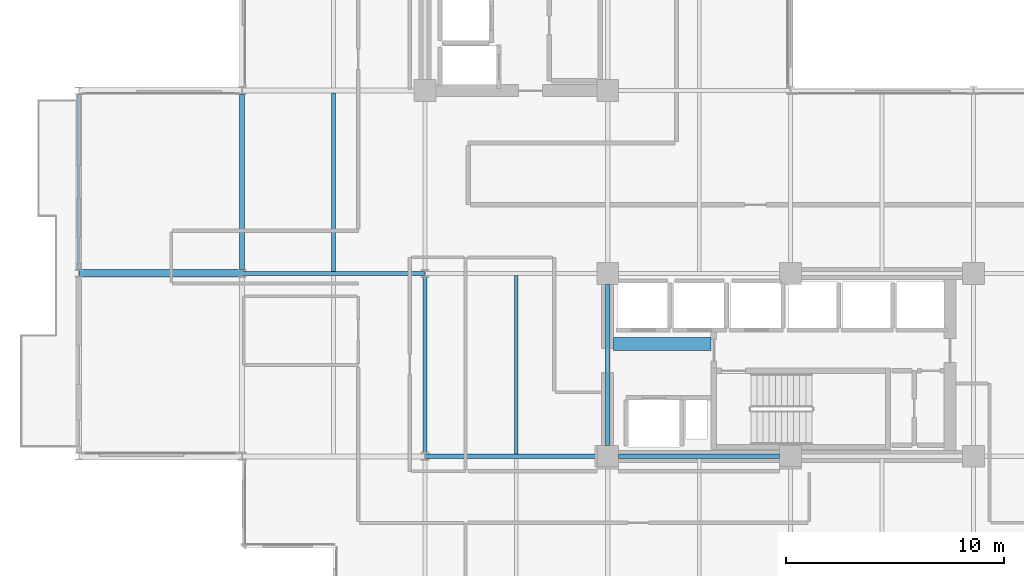
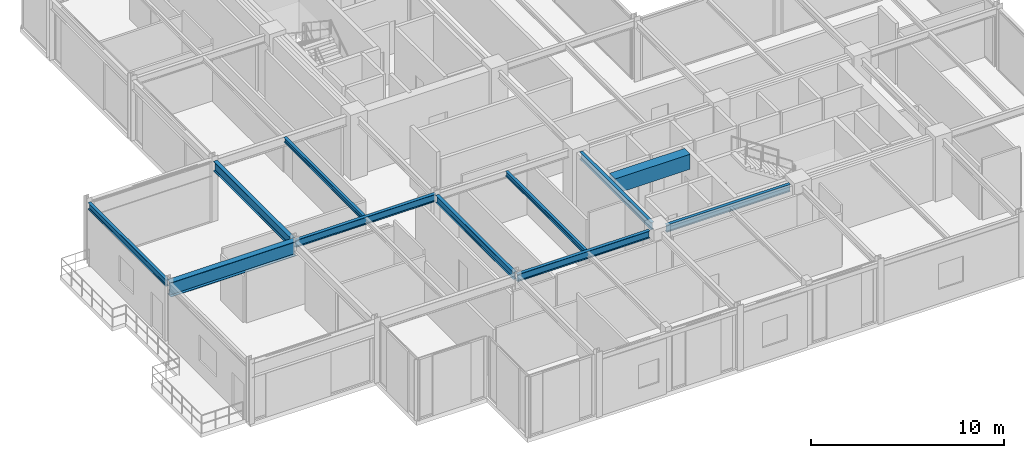
# One storey, part 8 of 29: 11 beams.
"""IFC4 building model written with IfcOpenShell, lengths in metres."""

from ifc_helpers import new_model, si_unit, direction, frame, origin, origin_2d, place, context, subcontext, project, spatial, rectangle, i_section, extrude, material, material_profile, profile_set, type_object, element, save


model = new_model("IFC4")

# Units and contexts
model_context = context("Model", 3, precision=1e-05, world=origin(), true_north=direction((0.0, 1.0)))
body_context = subcontext(model_context, "Body", "Model", "MODEL_VIEW")
ifc_project = project(units=[si_unit("LENGTHUNIT", "METRE"), si_unit("AREAUNIT", "SQUARE_METRE"), si_unit("VOLUMEUNIT", "CUBIC_METRE"), si_unit("PLANEANGLEUNIT", "RADIAN"), si_unit("MASSUNIT", "GRAM", prefix="KILO")], contexts=[model_context])

# Site, building, storey
site_placement = place(None, origin())
site = spatial("IfcSite", under=ifc_project, at=site_placement, CompositionType="ELEMENT")
building_placement = place(site_placement, origin())
building = spatial("IfcBuilding", under=site, at=building_placement, Name="Nerrivon Quay Data Exchange", CompositionType="ELEMENT")
storey_placement = place(building_placement, frame((0.0, 0.0, 175.5)))
storey = spatial("IfcBuildingStorey", under=building, at=storey_placement, Name="L41", CompositionType="ELEMENT", Elevation=175.5)

# Beams
ifc_material_1 = material(Name="Steel Grade 350", Category="steel")
ifc_material_profile_1 = material_profile(ifc_material_1, i_section(OverallWidth=0.35009765625, OverallDepth=0.909912109375, WebThickness=0.011962890625, FlangeThickness=0.02490234375, at=origin_2d()), Name="900WB218")
ifc_profile_set_1 = profile_set([ifc_material_profile_1], Name="Steel Grade 350")
beam_type_1 = type_object("IfcBeamType", Name="BM-CANT-900WB", PredefinedType="USERDEFINED", material=ifc_profile_set_1)
beam_1_placement = place(storey_placement, frame((-0.010009765625, 16.800048828125, 3.3701171875), z_axis=(-1.0, 0.0, 0.0), x_axis=(0.0, -1.0, 0.0)))
element("IfcBeam", 1, at=beam_1_placement, inside=storey, type_object=beam_type_1, Name="L41 West Hooked Cantilever Girder Y=16.8", ObjectType="TRANSFER", PredefinedType="USERDEFINED", context=body_context, shape_type="SweptSolid", body=[
    extrude(i_section(OverallWidth=0.35009765625, OverallDepth=0.909912109375, WebThickness=0.011962890625, FlangeThickness=0.02490234375, at=origin_2d()), origin(), (0.0, 0.0, 1.0), 7.482177734375),
])
ifc_material_2 = material(Name="Concrete N50 (50 MPa)", Category="concrete")
ifc_material_profile_2 = material_profile(ifc_material_2, rectangle(XDim=0.60009765625, YDim=0.949951171875, at=origin_2d()), Name="RC-CB-600x950")
ifc_profile_set_2 = profile_set([ifc_material_profile_2], Name="Concrete N50 (50 MPa)")
beam_type_2 = type_object("IfcBeamType", Name="BM-CB2-600x950", PredefinedType="LINTEL", material=ifc_profile_set_2)
beam_2_placement = place(storey_placement, frame((17.074951171875, 13.550048828125, 3.35009765625), z_axis=(1.0, 0.0, 0.0), x_axis=(0.0, 1.0, 0.0)))
element("IfcBeam", 2, at=beam_2_placement, inside=storey, type_object=beam_type_2, Name="L41 East Core Coupling Beam", PredefinedType="LINTEL", context=body_context, shape_type="SweptSolid", body=[
    extrude(rectangle(XDim=0.60009765625, YDim=0.949951171875, at=origin_2d()), origin(), (0.0, 0.0, 1.0), 4.47998046875),
])
ifc_material_profile_3 = material_profile(ifc_material_1, i_section(OverallWidth=0.22802734375, OverallDepth=0.60205078125, WebThickness=0.010498046875, FlangeThickness=0.014892578125, FilletRadius=0.013916015625, at=origin_2d()), Name="610UB101")
ifc_profile_set_3 = profile_set([ifc_material_profile_3], Name="Steel Grade 350")
beam_type_3 = type_object("IfcBeamType", Name="BM-G2-610UB101", PredefinedType="BEAM", material=ifc_profile_set_3)
beam_3_placement = place(storey_placement, frame((0.0, 16.97509765625, 3.52392578125), z_axis=(0.0, 1.0, 0.0), x_axis=(-1.0, 0.0, 0.0)))
element("IfcBeam", 3, at=beam_3_placement, inside=storey, type_object=beam_type_3, Name="L41 NS Girder X=0.0 (16.8..25.2)", PredefinedType="BEAM", context=body_context, shape_type="SweptSolid", body=[
    extrude(i_section(OverallWidth=0.22802734375, OverallDepth=0.60205078125, WebThickness=0.010498046875, FlangeThickness=0.014892578125, FilletRadius=0.013916015625, at=origin_2d()), origin(), (0.0, 0.0, 1.0), 8.0498046875),
])
ifc_material_profile_4 = material_profile(ifc_material_1, i_section(OverallWidth=0.19091796875, OverallDepth=0.4599609375, WebThickness=0.010009765625, FlangeThickness=0.01611328125, FilletRadius=0.011474609375, at=origin_2d()), Name="460UB82.1")
ifc_profile_set_4 = profile_set([ifc_material_profile_4], Name="Steel Grade 350")
beam_type_4 = type_object("IfcBeamType", Name="BM-G5-460UB82", PredefinedType="BEAM", material=ifc_profile_set_4)
beam_4_placement = place(storey_placement, frame((8.409912109375, 8.39990234375, 3.594970703125), z_axis=(1.0, 0.0, 0.0), x_axis=(0.0, 1.0, 0.0)))
element("IfcBeam", 4, at=beam_4_placement, inside=storey, type_object=beam_type_4, Name="L41 EW Girder Y=8.4 (8.4..16.8)", PredefinedType="BEAM", context=body_context, shape_type="SweptSolid", body=[
    extrude(i_section(OverallWidth=0.19091796875, OverallDepth=0.4599609375, WebThickness=0.010009765625, FlangeThickness=0.01611328125, FilletRadius=0.011474609375, at=origin_2d()), origin(), (0.0, 0.0, 1.0), 7.89013671875),
])
beam_5_placement = place(storey_placement, frame((17.300048828125, 8.39990234375, 3.594970703125), z_axis=(1.0, 0.0, 0.0), x_axis=(0.0, 1.0, 0.0)))
element("IfcBeam", 5, at=beam_5_placement, inside=storey, type_object=beam_type_4, Name="L41 EW Girder Y=8.4 (16.8..25.2)", PredefinedType="BEAM", context=body_context, shape_type="SweptSolid", body=[
    extrude(i_section(OverallWidth=0.19091796875, OverallDepth=0.4599609375, WebThickness=0.010009765625, FlangeThickness=0.01611328125, FilletRadius=0.011474609375, at=origin_2d()), origin(), (0.0, 0.0, 1.0), 7.39990234375),
])
beam_6_placement = place(storey_placement, frame((0.010009765625, 16.800048828125, 3.594970703125), z_axis=(1.0, 0.0, 0.0), x_axis=(0.0, 1.0, 0.0)))
element("IfcBeam", 6, at=beam_6_placement, inside=storey, type_object=beam_type_4, Name="L41 EW Girder Y=16.8 (0.0..8.4)", PredefinedType="BEAM", context=body_context, shape_type="SweptSolid", body=[
    extrude(i_section(OverallWidth=0.19091796875, OverallDepth=0.4599609375, WebThickness=0.010009765625, FlangeThickness=0.01611328125, FilletRadius=0.011474609375, at=origin_2d()), origin(), (0.0, 0.0, 1.0), 8.3798828125),
])
ifc_material_profile_5 = material_profile(ifc_material_1, i_section(OverallWidth=0.18994140625, OverallDepth=0.4541015625, WebThickness=0.008544921875, FlangeThickness=0.0126953125, FilletRadius=0.011474609375, at=origin_2d()), Name="460UB67.1")
ifc_profile_set_5 = profile_set([ifc_material_profile_5], Name="Steel Grade 350")
beam_type_5 = type_object("IfcBeamType", Name="BM-G6-460UB67", PredefinedType="BEAM", material=ifc_profile_set_5)
beam_7_placement = place(storey_placement, frame((8.39990234375, 8.574951171875, 3.597900390625), z_axis=(0.0, 1.0, 0.0), x_axis=(-1.0, 0.0, 0.0)))
element("IfcBeam", 7, at=beam_7_placement, inside=storey, type_object=beam_type_5, Name="L41 NS Girder X=8.4 (8.4..16.8)", PredefinedType="BEAM", context=body_context, shape_type="SweptSolid", body=[
    extrude(i_section(OverallWidth=0.18994140625, OverallDepth=0.4541015625, WebThickness=0.008544921875, FlangeThickness=0.0126953125, FilletRadius=0.011474609375, at=origin_2d()), origin(), (0.0, 0.0, 1.0), 8.050048828125),
])
beam_8_placement = place(storey_placement, frame((16.800048828125, 8.89990234375, 3.597900390625), z_axis=(0.0, 1.0, 0.0), x_axis=(-1.0, 0.0, 0.0)))
element("IfcBeam", 8, at=beam_8_placement, inside=storey, type_object=beam_type_5, Name="L41 NS Girder X=16.8 (8.4..16.8)", PredefinedType="BEAM", context=body_context, shape_type="SweptSolid", body=[
    extrude(i_section(OverallWidth=0.18994140625, OverallDepth=0.4541015625, WebThickness=0.008544921875, FlangeThickness=0.0126953125, FilletRadius=0.011474609375, at=origin_2d()), origin(), (0.0, 0.0, 1.0), 7.400146484375),
])
ifc_material_profile_6 = material_profile(ifc_material_1, i_section(OverallWidth=0.166015625, OverallDepth=0.306884765625, WebThickness=0.006591796875, FlangeThickness=0.01171875, FilletRadius=0.011474609375, at=origin_2d()), Name="310UB46.2")
ifc_profile_set_6 = profile_set([ifc_material_profile_6], Name="Steel Grade 350")
beam_type_6 = type_object("IfcBeamType", Name="BM-J5-310UB46", PredefinedType="JOIST", material=ifc_profile_set_6)
beam_9_placement = place(storey_placement, frame((4.199951171875, 16.8955078125, 3.67138671875), z_axis=(0.0, 1.0, 0.0), x_axis=(-1.0, 0.0, 0.0)))
element("IfcBeam", 9, at=beam_9_placement, inside=storey, type_object=beam_type_6, Name="L41 Secondary Joist X=4.2 (16.8..25.2)", PredefinedType="JOIST", context=body_context, shape_type="SweptSolid", body=[
    extrude(i_section(OverallWidth=0.166015625, OverallDepth=0.306884765625, WebThickness=0.006591796875, FlangeThickness=0.01171875, FilletRadius=0.011474609375, at=origin_2d()), origin(), (0.0, 0.0, 1.0), 8.18994140625),
])
beam_10_placement = place(storey_placement, frame((12.60009765625, 8.49560546875, 3.67138671875), z_axis=(0.0, 1.0, 0.0), x_axis=(-1.0, 0.0, 0.0)))
element("IfcBeam", 10, at=beam_10_placement, inside=storey, type_object=beam_type_6, Name="L41 Secondary Joist X=12.6 (8.4..16.8)", PredefinedType="JOIST", context=body_context, shape_type="SweptSolid", body=[
    extrude(i_section(OverallWidth=0.166015625, OverallDepth=0.306884765625, WebThickness=0.006591796875, FlangeThickness=0.01171875, FilletRadius=0.011474609375, at=origin_2d()), origin(), (0.0, 0.0, 1.0), 8.208984375),
])
ifc_material_profile_7 = material_profile(ifc_material_1, i_section(OverallWidth=0.177978515625, OverallDepth=0.403076171875, WebThickness=0.007568359375, FlangeThickness=0.010986328125, FilletRadius=0.011474609375, at=origin_2d()), Name="410UB53.7")
ifc_profile_set_7 = profile_set([ifc_material_profile_7], Name="Steel Grade 350")
beam_type_7 = type_object("IfcBeamType", Name="BM-SP2-410UB54", PredefinedType="SPANDREL", material=ifc_profile_set_7)
beam_11_placement = place(storey_placement, frame((-7.5, 16.96337890625, 3.62353515625), z_axis=(0.0, 1.0, 0.0), x_axis=(-1.0, 0.0, 0.0)))
element("IfcBeam", 11, at=beam_11_placement, inside=storey, type_object=beam_type_7, Name="L41 West Hooked Edge Spandrel", PredefinedType="SPANDREL", context=body_context, shape_type="SweptSolid", body=[
    extrude(i_section(OverallWidth=0.177978515625, OverallDepth=0.403076171875, WebThickness=0.007568359375, FlangeThickness=0.010986328125, FilletRadius=0.011474609375, at=origin_2d()), origin(), (0.0, 0.0, 1.0), 8.0732421875),
])

save(model, "model.ifc")
